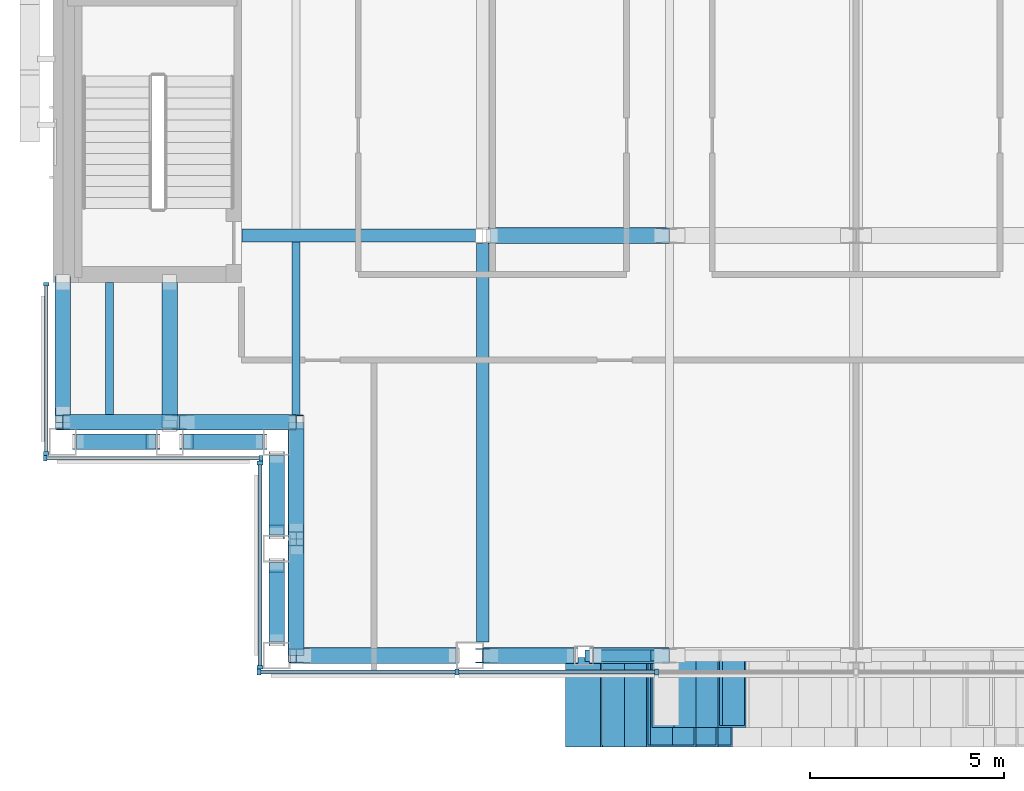
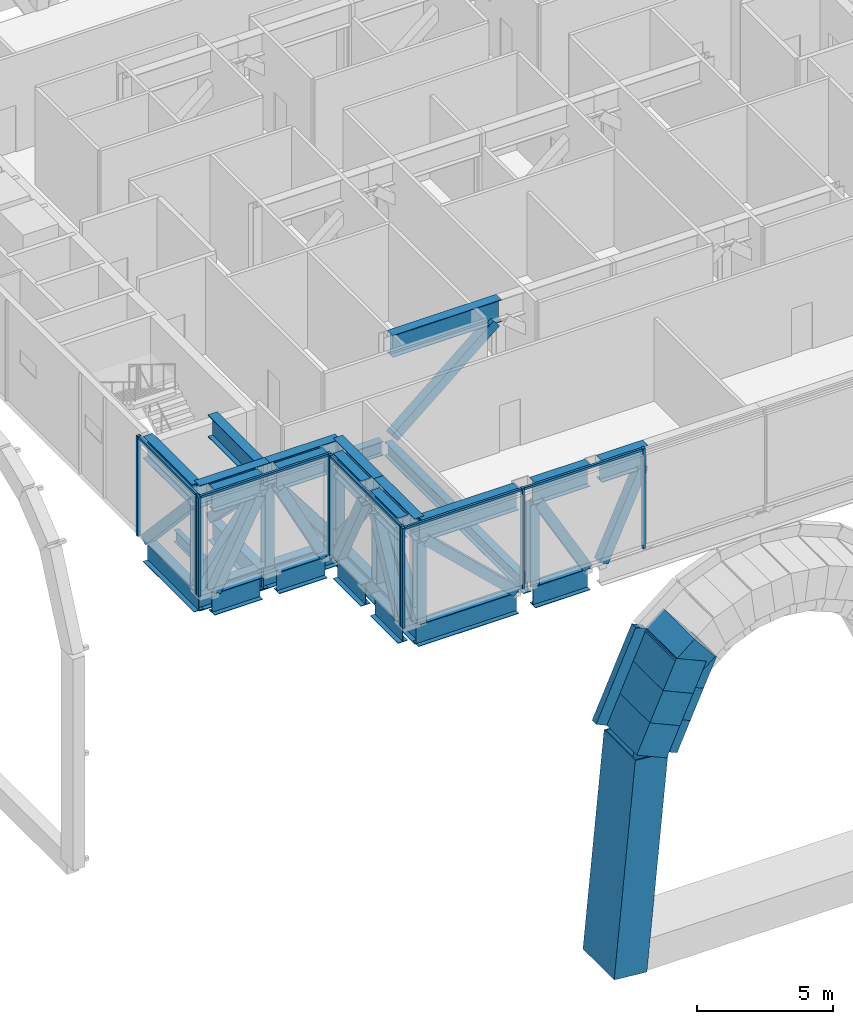
# One storey, part 3 of 26: 66 members, 5 beams, 4 elements without a shape of their own.
"""IFC4 building model written with IfcOpenShell, lengths in metres."""

from ifc_helpers import new_model, si_unit, direction, frame, origin, origin_2d, place, context, subcontext, project, spatial, rectangle, hollow_rectangle, i_section, extrude, material, material_profile, profile_set, type_object, element, aggregate, save


model = new_model("IFC4")

# Units and contexts
model_context = context("Model", 3, precision=1e-05, world=origin(), true_north=direction((0.0, 1.0)))
body_context = subcontext(model_context, "Body", "Model", "MODEL_VIEW")
ifc_project = project(units=[si_unit("LENGTHUNIT", "METRE"), si_unit("AREAUNIT", "SQUARE_METRE"), si_unit("VOLUMEUNIT", "CUBIC_METRE"), si_unit("PLANEANGLEUNIT", "RADIAN"), si_unit("MASSUNIT", "GRAM", prefix="KILO")], contexts=[model_context])

# Site, building, storey
site_placement = place(None, origin())
site = spatial("IfcSite", under=ifc_project, at=site_placement, CompositionType="ELEMENT")
building_placement = place(site_placement, origin())
building = spatial("IfcBuilding", under=site, at=building_placement, Name="Cobrizo Arcos Hotel Tower", CompositionType="ELEMENT")
storey_placement = place(building_placement, frame((0.0, 0.0, 236.5)))
storey = spatial("IfcBuildingStorey", under=building, at=storey_placement, Name="L62", CompositionType="ELEMENT", Elevation=236.5)

# Beam
ifc_material_1 = material(Name="Steel ASTM A572 Grade 50", Category="steel")
ifc_material_profile_1 = material_profile(ifc_material_1, hollow_rectangle(XDim=0.300048828125, YDim=0.5, WallThickness=0.02001953125, at=origin_2d()), Name="BOX 300X500X20")
ifc_profile_set_1 = profile_set([ifc_material_profile_1], Name="Steel ASTM A572 Grade 50")
beam_type_1 = type_object("IfcBeamType", Name="BOX 300X500X20 arch rib", PredefinedType="BEAM", material=ifc_profile_set_1)
beam_1_placement = place(storey_placement, frame((-6.748291015625, -20.39990234375, -7.5615234375), z_axis=(0.409445476845, 0.0, 0.912334588565), x_axis=(0.0, 1.0, 0.0)))
element("IfcBeam", 1, at=beam_1_placement, inside=storey, type_object=beam_type_1, Name="Arch rib AR1, arch C, south face, no. 01", PredefinedType="BEAM", context=body_context, shape_type="SweptSolid", body=[
    extrude(hollow_rectangle(XDim=0.300048828125, YDim=0.5, WallThickness=0.02001953125, at=origin_2d()), origin(), (0.0, 0.0, 1.0), 4.1201171875),
])

# Curtain wall, members
ifc_material_2 = material(Name="Aluminium 6063-T6 anodised bronze", Category="aluminium")
curtain_wall_type = type_object("IfcCurtainWallType", Name="CW-D plant louvre wall", PredefinedType="NOTDEFINED", material=ifc_material_2)
curtain_wall_1_placement = place(storey_placement, origin())
curtain_wall_1 = element("IfcCurtainWall", 2, at=curtain_wall_1_placement, inside=storey, type_object=curtain_wall_type, Name="CW-D L62 S face", PredefinedType="NOTDEFINED")
ifc_material_profile_2 = material_profile(ifc_material_2, rectangle(XDim=0.14990234375, YDim=0.10009765625, at=origin_2d()), Name="CW-D mullion 150x100")
ifc_profile_set_2 = profile_set([ifc_material_profile_2], Name="Aluminium 6063-T6 anodised bronze")
member_type_1 = type_object("IfcMemberType", Name="CW-D mullion 150x100", PredefinedType="MULLION", material=ifc_profile_set_2)
member_1_placement = place(storey_placement, frame((-15.35009765625, -20.824951171875, 0.0), z_axis=(0.0, 0.0, 1.0), x_axis=(0.0, -1.0, 0.0)))
member_1 = element("IfcMember", 3, at=member_1_placement, type_object=member_type_1, Name="CW-D mullion 1", PredefinedType="MULLION", context=body_context, shape_type="SweptSolid", body=[
    extrude(rectangle(XDim=0.14990234375, YDim=0.10009765625, at=origin_2d()), origin(), (0.0, 0.0, 1.0), 4.5),
])
member_2_placement = place(storey_placement, frame((-10.2666015625, -20.824951171875, 0.0), z_axis=(0.0, 0.0, 1.0), x_axis=(0.0, -1.0, 0.0)))
member_2 = element("IfcMember", 4, at=member_2_placement, type_object=member_type_1, Name="CW-D mullion 2", PredefinedType="MULLION", context=body_context, shape_type="SweptSolid", body=[
    extrude(rectangle(XDim=0.14990234375, YDim=0.10009765625, at=origin_2d()), origin(), (0.0, 0.0, 1.0), 4.5),
])
member_3_placement = place(storey_placement, frame((-5.13330078125, -20.824951171875, 0.0), z_axis=(0.0, 0.0, 1.0), x_axis=(0.0, -1.0, 0.0)))
member_3 = element("IfcMember", 5, at=member_3_placement, type_object=member_type_1, Name="CW-D mullion 3", PredefinedType="MULLION", context=body_context, shape_type="SweptSolid", body=[
    extrude(rectangle(XDim=0.14990234375, YDim=0.10009765625, at=origin_2d()), origin(), (0.0, 0.0, 1.0), 4.5),
])

curtain_wall_2_placement = place(storey_placement, origin())
curtain_wall_2 = element("IfcCurtainWall", 6, at=curtain_wall_2_placement, inside=storey, type_object=curtain_wall_type, Name="CW-D L62 W face", PredefinedType="NOTDEFINED")
member_4_placement = place(storey_placement, frame((-20.824951171875, -10.85009765625, 0.0), z_axis=(0.0, 0.0, 1.0), x_axis=(-1.0, 0.0, 0.0)))
member_4 = element("IfcMember", 7, at=member_4_placement, type_object=member_type_1, Name="CW-D mullion 1", PredefinedType="MULLION", context=body_context, shape_type="SweptSolid", body=[
    extrude(rectangle(XDim=0.14990234375, YDim=0.10009765625, at=origin_2d()), origin(), (0.0, 0.0, 1.0), 4.5),
])
member_5_placement = place(storey_placement, frame((-20.824951171875, -15.199951171875, 0.0), z_axis=(0.0, 0.0, 1.0), x_axis=(-1.0, 0.0, 0.0)))
member_5 = element("IfcMember", 8, at=member_5_placement, type_object=member_type_1, Name="CW-D mullion 2", PredefinedType="MULLION", context=body_context, shape_type="SweptSolid", body=[
    extrude(rectangle(XDim=0.14990234375, YDim=0.10009765625, at=origin_2d()), origin(), (0.0, 0.0, 1.0), 4.5),
])

curtain_wall_3_placement = place(storey_placement, origin())
curtain_wall_3 = element("IfcCurtainWall", 9, at=curtain_wall_3_placement, inside=storey, type_object=curtain_wall_type, Name="CW-D L62 S face", PredefinedType="NOTDEFINED")
member_6_placement = place(storey_placement, frame((-20.85009765625, -15.324951171875, 0.0), z_axis=(0.0, 0.0, 1.0), x_axis=(0.0, -1.0, 0.0)))
member_6 = element("IfcMember", 10, at=member_6_placement, type_object=member_type_1, Name="CW-D mullion 1", PredefinedType="MULLION", context=body_context, shape_type="SweptSolid", body=[
    extrude(rectangle(XDim=0.14990234375, YDim=0.10009765625, at=origin_2d()), origin(), (0.0, 0.0, 1.0), 4.5),
])
member_7_placement = place(storey_placement, frame((-15.300048828125, -15.324951171875, 0.0), z_axis=(0.0, 0.0, 1.0), x_axis=(0.0, -1.0, 0.0)))
member_7 = element("IfcMember", 11, at=member_7_placement, type_object=member_type_1, Name="CW-D mullion 2", PredefinedType="MULLION", context=body_context, shape_type="SweptSolid", body=[
    extrude(rectangle(XDim=0.14990234375, YDim=0.10009765625, at=origin_2d()), origin(), (0.0, 0.0, 1.0), 4.5),
])

curtain_wall_4_placement = place(storey_placement, origin())
curtain_wall_4 = element("IfcCurtainWall", 12, at=curtain_wall_4_placement, inside=storey, type_object=curtain_wall_type, Name="CW-D L62 W face", PredefinedType="NOTDEFINED")
member_8_placement = place(storey_placement, frame((-15.324951171875, -15.449951171875, 0.0), z_axis=(0.0, 0.0, 1.0), x_axis=(-1.0, 0.0, 0.0)))
member_8 = element("IfcMember", 13, at=member_8_placement, type_object=member_type_1, Name="CW-D mullion 1", PredefinedType="MULLION", context=body_context, shape_type="SweptSolid", body=[
    extrude(rectangle(XDim=0.14990234375, YDim=0.10009765625, at=origin_2d()), origin(), (0.0, 0.0, 1.0), 4.5),
])
member_9_placement = place(storey_placement, frame((-15.324951171875, -20.699951171875, 0.0), z_axis=(0.0, 0.0, 1.0), x_axis=(-1.0, 0.0, 0.0)))
member_9 = element("IfcMember", 14, at=member_9_placement, type_object=member_type_1, Name="CW-D mullion 2", PredefinedType="MULLION", context=body_context, shape_type="SweptSolid", body=[
    extrude(rectangle(XDim=0.14990234375, YDim=0.10009765625, at=origin_2d()), origin(), (0.0, 0.0, 1.0), 4.5),
])

# Member
ifc_material_profile_3 = material_profile(ifc_material_2, rectangle(XDim=0.10009765625, YDim=0.10009765625, at=origin_2d()), Name="CW-D transom 100x100")
ifc_profile_set_3 = profile_set([ifc_material_profile_3], Name="Aluminium 6063-T6 anodised bronze")
member_type_2 = type_object("IfcMemberType", Name="CW-D transom 100x100", PredefinedType="USERDEFINED", material=ifc_profile_set_3)
member_10_placement = place(storey_placement, frame((-15.300048828125, -20.824951171875, 4.449951171875), z_axis=(1.0, 0.0, 0.0), x_axis=(0.0, 1.0, 0.0)))
member_10 = element("IfcMember", 15, at=member_10_placement, type_object=member_type_2, Name="CW-D transom 1988", ObjectType="TRANSOM", PredefinedType="USERDEFINED", context=body_context, shape_type="SweptSolid", body=[
    extrude(rectangle(XDim=0.10009765625, YDim=0.10009765625, at=origin_2d()), origin(), (0.0, 0.0, 1.0), 4.9833984375),
])

member_11_placement = place(storey_placement, frame((-10.216552734375, -20.824951171875, 4.449951171875), z_axis=(1.0, 0.0, 0.0), x_axis=(0.0, 1.0, 0.0)))
member_11 = element("IfcMember", 16, at=member_11_placement, type_object=member_type_2, Name="CW-D transom 1989", ObjectType="TRANSOM", PredefinedType="USERDEFINED", context=body_context, shape_type="SweptSolid", body=[
    extrude(rectangle(XDim=0.10009765625, YDim=0.10009765625, at=origin_2d()), origin(), (0.0, 0.0, 1.0), 5.033203125),
])

aggregate(curtain_wall_1, [member_1, member_2, member_3, member_10, member_11])

member_12_placement = place(storey_placement, frame((-20.824951171875, -10.89990234375, 4.449951171875), z_axis=(0.0, -1.0, 0.0), x_axis=(1.0, 0.0, 0.0)))
member_12 = element("IfcMember", 17, at=member_12_placement, type_object=member_type_2, Name="CW-D transom 2009", ObjectType="TRANSOM", PredefinedType="USERDEFINED", context=body_context, shape_type="SweptSolid", body=[
    extrude(rectangle(XDim=0.10009765625, YDim=0.10009765625, at=origin_2d()), origin(), (0.0, 0.0, 1.0), 4.25),
])

aggregate(curtain_wall_2, [member_4, member_5, member_12])

member_13_placement = place(storey_placement, frame((-20.800048828125, -15.324951171875, 4.449951171875), z_axis=(1.0, 0.0, 0.0), x_axis=(0.0, 1.0, 0.0)))
member_13 = element("IfcMember", 18, at=member_13_placement, type_object=member_type_2, Name="CW-D transom 2010", ObjectType="TRANSOM", PredefinedType="USERDEFINED", context=body_context, shape_type="SweptSolid", body=[
    extrude(rectangle(XDim=0.10009765625, YDim=0.10009765625, at=origin_2d()), origin(), (0.0, 0.0, 1.0), 5.449951171875),
])

aggregate(curtain_wall_3, [member_6, member_7, member_13])

member_14_placement = place(storey_placement, frame((-15.324951171875, -15.5, 4.449951171875), z_axis=(0.0, -1.0, 0.0), x_axis=(1.0, 0.0, 0.0)))
member_14 = element("IfcMember", 19, at=member_14_placement, type_object=member_type_2, Name="CW-D transom 2011", ObjectType="TRANSOM", PredefinedType="USERDEFINED", context=body_context, shape_type="SweptSolid", body=[
    extrude(rectangle(XDim=0.10009765625, YDim=0.10009765625, at=origin_2d()), origin(), (0.0, 0.0, 1.0), 5.14990234375),
])

aggregate(curtain_wall_4, [member_8, member_9, member_14])

# Members
ifc_material_3 = material(Name="Steel ASTM A500 Grade C", Category="steel")
ifc_material_profile_4 = material_profile(ifc_material_3, hollow_rectangle(XDim=0.406494140625, YDim=0.406494140625, WallThickness=0.014892578125, at=origin_2d()), Name="HSS16X16X5/8")
ifc_profile_set_4 = profile_set([ifc_material_profile_4], Name="Steel ASTM A500 Grade C")
member_type_3 = type_object("IfcMemberType", Name="HSS16X16X5/8 truss diagonal", PredefinedType="BRACE", material=ifc_profile_set_4)
member_15_placement = place(storey_placement, frame((-14.199951171875, -20.39990234375, 3.359375), z_axis=(0.723646087401, 0.0, -0.690171239759), x_axis=(0.0, 1.0, 0.0)))
element("IfcMember", 20, at=member_15_placement, inside=storey, type_object=member_type_3, Name="Belt truss diagonal TD1, L62, no. 001", PredefinedType="BRACE", context=body_context, shape_type="SweptSolid", body=[
    extrude(hollow_rectangle(XDim=0.406494140625, YDim=0.406494140625, WallThickness=0.014892578125, at=origin_2d()), origin(), (0.0, 0.0, 1.0), 5.30224609375),
])
member_16_placement = place(storey_placement, frame((-9.39990234375, -20.39990234375, 3.359375), z_axis=(0.492319382331, 0.0, -0.870414628658), x_axis=(0.0, 1.0, 0.0)))
element("IfcMember", 21, at=member_16_placement, inside=storey, type_object=member_type_3, Name="Belt truss diagonal TD1, L62, no. 002", PredefinedType="BRACE", context=body_context, shape_type="SweptSolid", body=[
    extrude(hollow_rectangle(XDim=0.406494140625, YDim=0.406494140625, WallThickness=0.014892578125, at=origin_2d()), origin(), (0.0, 0.0, 1.0), 4.204345703125),
])
member_17_placement = place(storey_placement, frame((-6.669921875, -20.39990234375, -0.300048828125), z_axis=(0.415151491218, 0.0, 0.909752295595), x_axis=(0.0, 1.0, 0.0)))
element("IfcMember", 22, at=member_17_placement, inside=storey, type_object=member_type_3, Name="Belt truss diagonal TD1, L62, no. 003", PredefinedType="BRACE", context=body_context, shape_type="SweptSolid", body=[
    extrude(hollow_rectangle(XDim=0.406494140625, YDim=0.406494140625, WallThickness=0.014892578125, at=origin_2d()), origin(), (0.0, 0.0, 1.0), 4.0224609375),
])
member_18_placement = place(storey_placement, frame((-20.39990234375, -10.801025390625, -0.300048828125), z_axis=(0.0, -0.680546716419, 0.732704692746), x_axis=(1.0, 0.0, 0.0)))
element("IfcMember", 23, at=member_18_placement, inside=storey, type_object=member_type_3, Name="Belt truss diagonal TD1, L62, no. 032", PredefinedType="BRACE", context=body_context, shape_type="SweptSolid", body=[
    extrude(hollow_rectangle(XDim=0.406494140625, YDim=0.406494140625, WallThickness=0.014892578125, at=origin_2d()), origin(), (0.0, 0.0, 1.0), 4.994384765625),
])
for number, where, z_axis, x_axis, name in (
    (24, (-19.969970703125, -14.89990234375, -0.300048828125), (0.458864866216, 0.0, 0.888506068945), (0.0, 1.0, 0.0), "Belt truss diagonal TD1, L62, no. 033"),
    (25, (-17.219970703125, -14.89990234375, 3.359375), (0.458864866216, 0.0, -0.888506068945), (0.0, 1.0, 0.0), "Belt truss diagonal TD1, L62, no. 034"),
    (26, (-14.89990234375, -15.330078125, -0.300048828125), (0.0, -0.458864866216, 0.888506068945), (1.0, 0.0, 0.0), "Belt truss diagonal TD1, L62, no. 035"),
    (27, (-14.89990234375, -18.080078125, 3.359375), (0.0, -0.458864866216, -0.888506068945), (1.0, 0.0, 0.0), "Belt truss diagonal TD1, L62, no. 036"),
):
    element("IfcMember", number, at=place(storey_placement, frame(where, z_axis=z_axis, x_axis=x_axis)), inside=storey, type_object=member_type_3, Name=name, PredefinedType="BRACE", context=body_context, shape_type="SweptSolid", body=[
        extrude(hollow_rectangle(XDim=0.406494140625, YDim=0.406494140625, WallThickness=0.014892578125, at=origin_2d()), origin(), (0.0, 0.0, 1.0), 4.11865234375),
    ])
for number, where, z_axis, x_axis, name in (
    (28, (-20.39990234375, -14.39990234375, -0.300048828125), (0.607644795951, 0.0, 0.794208915811), (0.0, 1.0, 0.0), "Belt truss diagonal TD1, L62, no. 049"),
    (29, (-17.199951171875, -14.39990234375, 3.359375), (0.607678216274, 0.0, -0.794183344994), (0.0, 1.0, 0.0), "Belt truss diagonal TD1, L62, no. 050"),
    (30, (-14.39990234375, -14.39990234375, -0.300048828125), (0.0, -0.607678216274, 0.794183344994), (1.0, 0.0, 0.0), "Belt truss diagonal TD1, L62, no. 051"),
    (31, (-14.39990234375, -17.60009765625, 3.359375), (0.0, -0.607644795951, -0.794208915811), (1.0, 0.0, 0.0), "Belt truss diagonal TD1, L62, no. 052"),
):
    element("IfcMember", number, at=place(storey_placement, frame(where, z_axis=z_axis, x_axis=x_axis)), inside=storey, type_object=member_type_3, Name=name, PredefinedType="BRACE", context=body_context, shape_type="SweptSolid", body=[
        extrude(hollow_rectangle(XDim=0.406494140625, YDim=0.406494140625, WallThickness=0.014892578125, at=origin_2d()), origin(), (0.0, 0.0, 1.0), 4.607666015625),
    ])
member_19_placement = place(storey_placement, frame((-17.64990234375, -10.800048828125, -0.300048828125), z_axis=(0.0, -0.708118865561, 0.706093246134), x_axis=(1.0, 0.0, 0.0)))
element("IfcMember", 32, at=member_19_placement, inside=storey, type_object=member_type_3, Name="Outrigger diagonal TD1, L62, no. 003", PredefinedType="BRACE", context=body_context, shape_type="SweptSolid", body=[
    extrude(hollow_rectangle(XDim=0.406494140625, YDim=0.406494140625, WallThickness=0.014892578125, at=origin_2d()), origin(), (0.0, 0.0, 1.0), 5.1826171875),
])
member_20_placement = place(storey_placement, frame((-9.333251953125, -9.60009765625, -0.300048828125), z_axis=(0.764009639917, 0.0, 0.645204828031), x_axis=(0.0, 1.0, 0.0)))
element("IfcMember", 33, at=member_20_placement, inside=storey, type_object=member_type_3, Name="Outrigger diagonal TD1, L62, no. 005", PredefinedType="BRACE", context=body_context, shape_type="SweptSolid", body=[
    extrude(hollow_rectangle(XDim=0.406494140625, YDim=0.406494140625, WallThickness=0.014892578125, at=origin_2d()), origin(), (0.0, 0.0, 1.0), 5.671630859375),
])
ifc_material_4 = material(Name="Steel ASTM A572 Grade 50 verdigris painted", Category="steel")
ifc_material_profile_5 = material_profile(ifc_material_4, hollow_rectangle(XDim=2.300048828125, YDim=1.39990234375, WallThickness=0.050048828125, at=origin_2d()), Name="PF-1 portal frame box 2300x1400x50")
ifc_profile_set_5 = profile_set([ifc_material_profile_5], Name="Steel ASTM A572 Grade 50 verdigris painted")
member_type_4 = type_object("IfcMemberType", Name="PF-1 portal frame box 2300x1400x50", PredefinedType="USERDEFINED", material=ifc_profile_set_5)
member_21_placement = place(storey_placement, frame((-5.881591796875, -21.60009765625, -7.95068359375), z_axis=(0.40935189332, 0.0, 0.912376582029), x_axis=(0.0, 1.0, 0.0)))
element("IfcMember", 34, at=member_21_placement, inside=storey, type_object=member_type_4, Name="C ring frame lintel S1", ObjectType="PORTAL FRAME", PredefinedType="USERDEFINED", context=body_context, shape_type="SweptSolid", body=[
    extrude(hollow_rectangle(XDim=2.300048828125, YDim=1.39990234375, WallThickness=0.050048828125, at=origin_2d()), origin(), (0.0, 0.0, 1.0), 1.37353515625),
])
for number, where, z_axis, x_axis, name in (
    (35, (-5.3193359375, -21.60009765625, -6.697509765625), (0.409418288591, 0.0, 0.91234678986), (0.0, 1.0, 0.0), "C ring frame lintel S2"),
    (36, (-4.757080078125, -21.60009765625, -5.444580078125), (0.409566249087, 0.0, 0.91228037774), (0.0, 1.0, 0.0), "C ring frame lintel S3"),
):
    element("IfcMember", number, at=place(storey_placement, frame(where, z_axis=z_axis, x_axis=x_axis)), inside=storey, type_object=member_type_4, Name=name, ObjectType="PORTAL FRAME", PredefinedType="USERDEFINED", context=body_context, shape_type="SweptSolid", body=[
        extrude(hollow_rectangle(XDim=2.300048828125, YDim=1.39990234375, WallThickness=0.050048828125, at=origin_2d()), origin(), (0.0, 0.0, 1.0), 1.373291015625),
    ])
member_22_placement = place(storey_placement, frame((-4.463623046875, -21.60009765625, -4.541015625), z_axis=(0.777344411856, 0.0, 0.62907524618), x_axis=(0.0, 1.0, 0.0)))
element("IfcMember", 37, at=member_22_placement, inside=storey, type_object=member_type_4, Name="C ring frame lintel S4", ObjectType="PORTAL FRAME", PredefinedType="USERDEFINED", context=body_context, shape_type="SweptSolid", body=[
    extrude(hollow_rectangle(XDim=2.300048828125, YDim=1.39990234375, WallThickness=0.050048828125, at=origin_2d()), origin(), (0.0, 0.0, 1.0), 1.085205078125),
])
member_23_placement = place(storey_placement, frame((-6.78173828125, -21.60009765625, -17.5), z_axis=(0.093846907553, 0.0, 0.995586640099), x_axis=(0.0, 1.0, 0.0)))
element("IfcMember", 38, at=member_23_placement, inside=storey, type_object=member_type_4, Name="C ring frame post SW", ObjectType="PORTAL FRAME", PredefinedType="USERDEFINED", context=body_context, shape_type="SweptSolid", body=[
    extrude(hollow_rectangle(XDim=2.300048828125, YDim=1.39990234375, WallThickness=0.050048828125, at=origin_2d()), origin(), (0.0, 0.0, 1.0), 9.591552734375),
])
ifc_material_profile_6 = material_profile(ifc_material_4, hollow_rectangle(XDim=1.800048828125, YDim=0.800048828125, WallThickness=0.050048828125, at=origin_2d()), Name="PF-3 portal outer ring box 1800x800x50")
ifc_profile_set_6 = profile_set([ifc_material_profile_6], Name="Steel ASTM A572 Grade 50 verdigris painted")
member_type_5 = type_object("IfcMemberType", Name="PF-3 portal outer ring box 1800x800x50", PredefinedType="USERDEFINED", material=ifc_profile_set_6)
for number, where, z_axis, x_axis, name in (
    (39, (-4.878173828125, -21.35009765625, -8.40087890625), (0.409418288591, 0.0, 0.91234678986), (0.0, 1.0, 0.0), "C ring frame lintel S21"),
    (40, (-4.31591796875, -21.35009765625, -7.14794921875), (0.409566249087, 0.0, 0.91228037774), (0.0, 1.0, 0.0), "C ring frame lintel S22"),
    (41, (-3.75341796875, -21.35009765625, -5.89501953125), (0.409566249087, 0.0, 0.91228037774), (0.0, 1.0, 0.0), "C ring frame lintel S23"),
):
    element("IfcMember", number, at=place(storey_placement, frame(where, z_axis=z_axis, x_axis=x_axis)), inside=storey, type_object=member_type_5, Name=name, ObjectType="PORTAL FRAME", PredefinedType="USERDEFINED", context=body_context, shape_type="SweptSolid", body=[
        extrude(hollow_rectangle(XDim=1.800048828125, YDim=0.800048828125, WallThickness=0.050048828125, at=origin_2d()), origin(), (0.0, 0.0, 1.0), 1.373291015625),
    ])
ifc_material_5 = material(Name="Steel ASTM A992 Grade 50", Category="steel")
ifc_material_profile_7 = material_profile(ifc_material_5, i_section(OverallWidth=0.373291015625, OverallDepth=0.373291015625, WebThickness=0.016357421875, FlangeThickness=0.026123046875, at=origin_2d()), Name="W14X132")
ifc_profile_set_7 = profile_set([ifc_material_profile_7], Name="Steel ASTM A992 Grade 50")
member_type_6 = type_object("IfcMemberType", Name="W14X132 truss post", PredefinedType="POST", material=ifc_profile_set_7)
for number, where, z_axis, x_axis, name in (
    (42, (-14.39990234375, -20.39990234375, -0.300048828125), (0.0, 0.0, 1.0), (1.0, 0.0, 0.0), "Truss post TP1, L62, no. 001"),
    (43, (-9.60009765625, -20.39990234375, -0.300048828125), (0.0, 0.0, 1.0), (1.0, 0.0, 0.0), "Truss post TP1, L62, no. 002"),
    (44, (-20.39990234375, -14.39990234375, -0.300048828125), (0.0, 0.0, 1.0), (1.0, 0.0, 0.0), "Truss post TP1, L62, no. 018"),
    (45, (-17.39990234375, -14.39990234375, -0.300048828125), (0.0, 0.0, 1.0), (1.0, 0.0, 0.0), "Truss post TP1, L62, no. 028"),
    (46, (-14.39990234375, -14.39990234375, -0.300048828125), (0.0, 0.0, 1.0), (1.0, 0.0, 0.0), "Truss post TP1, L62, no. 029"),
    (47, (-14.39990234375, -17.39990234375, -0.300048828125), (0.0, 0.0, 1.0), (1.0, 0.0, 0.0), "Truss post TP1, L62, no. 030"),
):
    element("IfcMember", number, at=place(storey_placement, frame(where, z_axis=z_axis, x_axis=x_axis)), inside=storey, type_object=member_type_6, Name=name, PredefinedType="POST", context=body_context, shape_type="SweptSolid", body=[
        extrude(i_section(OverallWidth=0.373291015625, OverallDepth=0.373291015625, WebThickness=0.016357421875, FlangeThickness=0.026123046875, at=origin_2d()), origin(), (0.0, 0.0, 1.0), 3.659423828125),
    ])

# Beams
ifc_material_profile_8 = material_profile(ifc_material_5, i_section(OverallWidth=0.209228515625, OverallDepth=0.533447265625, WebThickness=0.01025390625, FlangeThickness=0.015625, at=origin_2d()), Name="W21X62")
ifc_profile_set_8 = profile_set([ifc_material_profile_8], Name="Steel ASTM A992 Grade 50")
beam_type_2 = type_object("IfcBeamType", Name="W21X62 joist", PredefinedType="JOIST", material=ifc_profile_set_8)
beam_2_placement = place(storey_placement, frame((-19.199951171875, -14.199462890625, -0.566650390625), z_axis=(0.0, 1.0, 0.0), x_axis=(-1.0, 0.0, 0.0)))
element("IfcBeam", 48, at=beam_2_placement, inside=storey, type_object=beam_type_2, Name="Floor joist J1, L62, no. 001", PredefinedType="JOIST", context=body_context, shape_type="SweptSolid", body=[
    extrude(i_section(OverallWidth=0.209228515625, OverallDepth=0.533447265625, WebThickness=0.01025390625, FlangeThickness=0.015625, at=origin_2d()), origin(), (0.0, 0.0, 1.0), 3.389404296875),
])
beam_3_placement = place(storey_placement, frame((-14.39990234375, -14.199462890625, -0.566650390625), z_axis=(0.0, 1.0, 0.0), x_axis=(-1.0, 0.0, 0.0)))
element("IfcBeam", 49, at=beam_3_placement, inside=storey, type_object=beam_type_2, Name="Floor joist J1, L62, no. 003", PredefinedType="JOIST", context=body_context, shape_type="SweptSolid", body=[
    extrude(i_section(OverallWidth=0.209228515625, OverallDepth=0.533447265625, WebThickness=0.01025390625, FlangeThickness=0.015625, at=origin_2d()), origin(), (0.0, 0.0, 1.0), 4.435546875),
])
ifc_material_profile_9 = material_profile(ifc_material_5, i_section(OverallWidth=0.32763671875, OverallDepth=0.622314453125, WebThickness=0.015380859375, FlangeThickness=0.0244140625, at=origin_2d()), Name="W24X131")
ifc_profile_set_9 = profile_set([ifc_material_profile_9], Name="Steel ASTM A992 Grade 50")
beam_type_3 = type_object("IfcBeamType", Name="W24X131 girder", PredefinedType="BEAM", material=ifc_profile_set_9)
beam_4_placement = place(storey_placement, frame((-15.7900390625, -9.60009765625, -0.611083984375), z_axis=(1.0, 0.0, 0.0), x_axis=(0.0, 1.0, 0.0)))
element("IfcBeam", 50, at=beam_4_placement, inside=storey, type_object=beam_type_3, Name="Floor girder G1, L62, no. 001", PredefinedType="BEAM", context=body_context, shape_type="SweptSolid", body=[
    extrude(i_section(OverallWidth=0.32763671875, OverallDepth=0.622314453125, WebThickness=0.015380859375, FlangeThickness=0.0244140625, at=origin_2d()), origin(), (0.0, 0.0, 1.0), 6.00341796875),
])
beam_5_placement = place(storey_placement, frame((-9.60009765625, -20.050048828125, -0.611083984375), z_axis=(0.0, 1.0, 0.0), x_axis=(-1.0, 0.0, 0.0)))
element("IfcBeam", 51, at=beam_5_placement, inside=storey, type_object=beam_type_3, Name="Floor girder G1, L62, no. 007", PredefinedType="BEAM", context=body_context, shape_type="SweptSolid", body=[
    extrude(i_section(OverallWidth=0.32763671875, OverallDepth=0.622314453125, WebThickness=0.015380859375, FlangeThickness=0.0244140625, at=origin_2d()), origin(), (0.0, 0.0, 1.0), 10.24951171875),
])

# Members
ifc_material_profile_10 = material_profile(ifc_material_5, i_section(OverallWidth=0.4013671875, OverallDepth=0.990478515625, WebThickness=0.0166015625, FlangeThickness=0.025390625, at=origin_2d()), Name="W40X215")
ifc_profile_set_10 = profile_set([ifc_material_profile_10], Name="Steel ASTM A992 Grade 50")
member_type_7 = type_object("IfcMemberType", Name="W40X215 belt truss chord", PredefinedType="CHORD", material=ifc_profile_set_10)
member_24_placement = place(storey_placement, frame((-14.550048828125, -20.39990234375, -0.79541015625), z_axis=(1.0, 0.0, 0.0), x_axis=(0.0, 1.0, 0.0)))
element("IfcMember", 52, at=member_24_placement, inside=storey, type_object=member_type_7, Name="Belt truss bottom chord TC1, L62, no. 001", PredefinedType="CHORD", context=body_context, shape_type="SweptSolid", body=[
    extrude(i_section(OverallWidth=0.4013671875, OverallDepth=0.990478515625, WebThickness=0.0166015625, FlangeThickness=0.025390625, at=origin_2d()), origin(), (0.0, 0.0, 1.0), 4.26708984375),
])
member_25_placement = place(storey_placement, frame((-9.5830078125, -20.39990234375, -0.79541015625), z_axis=(1.0, 0.0, 0.0), x_axis=(0.0, 1.0, 0.0)))
element("IfcMember", 53, at=member_25_placement, inside=storey, type_object=member_type_7, Name="Belt truss bottom chord TC1, L62, no. 002", PredefinedType="CHORD", context=body_context, shape_type="SweptSolid", body=[
    extrude(i_section(OverallWidth=0.4013671875, OverallDepth=0.990478515625, WebThickness=0.0166015625, FlangeThickness=0.025390625, at=origin_2d()), origin(), (0.0, 0.0, 1.0), 2.3330078125),
])
member_26_placement = place(storey_placement, frame((-14.39990234375, -20.39990234375, 3.854736328125), z_axis=(1.0, 0.0, 0.0), x_axis=(0.0, 1.0, 0.0)))
element("IfcMember", 54, at=member_26_placement, inside=storey, type_object=member_type_7, Name="Belt truss top chord TC1, L62, no. 001", PredefinedType="CHORD", context=body_context, shape_type="SweptSolid", body=[
    extrude(i_section(OverallWidth=0.4013671875, OverallDepth=0.990478515625, WebThickness=0.0166015625, FlangeThickness=0.025390625, at=origin_2d()), origin(), (0.0, 0.0, 1.0), 4.116943359375),
])
member_27_placement = place(storey_placement, frame((-9.60009765625, -20.39990234375, 3.854736328125), z_axis=(1.0, 0.0, 0.0), x_axis=(0.0, 1.0, 0.0)))
element("IfcMember", 55, at=member_27_placement, inside=storey, type_object=member_type_7, Name="Belt truss top chord TC1, L62, no. 002", PredefinedType="CHORD", context=body_context, shape_type="SweptSolid", body=[
    extrude(i_section(OverallWidth=0.4013671875, OverallDepth=0.990478515625, WebThickness=0.0166015625, FlangeThickness=0.025390625, at=origin_2d()), origin(), (0.0, 0.0, 1.0), 2.35009765625),
])
member_28_placement = place(storey_placement, frame((-6.75, -20.39990234375, 3.854736328125), z_axis=(1.0, 0.0, 0.0), x_axis=(0.0, 1.0, 0.0)))
element("IfcMember", 56, at=member_28_placement, inside=storey, type_object=member_type_7, Name="Belt truss top chord TC1, L62, no. 003", PredefinedType="CHORD", context=body_context, shape_type="SweptSolid", body=[
    extrude(i_section(OverallWidth=0.4013671875, OverallDepth=0.990478515625, WebThickness=0.0166015625, FlangeThickness=0.025390625, at=origin_2d()), origin(), (0.0, 0.0, 1.0), 1.949951171875),
])
member_29_placement = place(storey_placement, frame((-20.39990234375, -10.801025390625, -0.79541015625), z_axis=(0.0, -1.0, 0.0), x_axis=(1.0, 0.0, 0.0)))
element("IfcMember", 57, at=member_29_placement, inside=storey, type_object=member_type_7, Name="Belt truss bottom chord TC1, L62, no. 026", PredefinedType="CHORD", context=body_context, shape_type="SweptSolid", body=[
    extrude(i_section(OverallWidth=0.4013671875, OverallDepth=0.990478515625, WebThickness=0.0166015625, FlangeThickness=0.025390625, at=origin_2d()), origin(), (0.0, 0.0, 1.0), 3.7490234375),
])
member_30_placement = place(storey_placement, frame((-20.39990234375, -10.801025390625, 3.854736328125), z_axis=(0.0, -1.0, 0.0), x_axis=(1.0, 0.0, 0.0)))
element("IfcMember", 58, at=member_30_placement, inside=storey, type_object=member_type_7, Name="Belt truss top chord TC1, L62, no. 032", PredefinedType="CHORD", context=body_context, shape_type="SweptSolid", body=[
    extrude(i_section(OverallWidth=0.4013671875, OverallDepth=0.990478515625, WebThickness=0.0166015625, FlangeThickness=0.025390625, at=origin_2d()), origin(), (0.0, 0.0, 1.0), 3.598876953125),
])
for number, where, z_axis, x_axis, name in (
    (59, (-20.050048828125, -14.89990234375, -0.79541015625), (1.0, 0.0, 0.0), (0.0, 1.0, 0.0), "Belt truss bottom chord TC1, L62, no. 027"),
    (60, (-17.300048828125, -14.89990234375, -0.79541015625), (1.0, 0.0, 0.0), (0.0, 1.0, 0.0), "Belt truss bottom chord TC1, L62, no. 028"),
    (61, (-20.050048828125, -14.89990234375, 3.854736328125), (1.0, 0.0, 0.0), (0.0, 1.0, 0.0), "Belt truss top chord TC1, L62, no. 033"),
    (62, (-17.300048828125, -14.89990234375, 3.854736328125), (1.0, 0.0, 0.0), (0.0, 1.0, 0.0), "Belt truss top chord TC1, L62, no. 034"),
    (63, (-14.89990234375, -15.25, -0.79541015625), (0.0, -1.0, 0.0), (1.0, 0.0, 0.0), "Belt truss bottom chord TC1, L62, no. 029"),
    (64, (-14.89990234375, -18.0, -0.79541015625), (0.0, -1.0, 0.0), (1.0, 0.0, 0.0), "Belt truss bottom chord TC1, L62, no. 030"),
    (65, (-14.89990234375, -15.25, 3.854736328125), (0.0, -1.0, 0.0), (1.0, 0.0, 0.0), "Belt truss top chord TC1, L62, no. 035"),
    (66, (-14.89990234375, -18.0, 3.854736328125), (0.0, -1.0, 0.0), (1.0, 0.0, 0.0), "Belt truss top chord TC1, L62, no. 036"),
):
    element("IfcMember", number, at=place(storey_placement, frame(where, z_axis=z_axis, x_axis=x_axis)), inside=storey, type_object=member_type_7, Name=name, PredefinedType="CHORD", context=body_context, shape_type="SweptSolid", body=[
        extrude(i_section(OverallWidth=0.4013671875, OverallDepth=0.990478515625, WebThickness=0.0166015625, FlangeThickness=0.025390625, at=origin_2d()), origin(), (0.0, 0.0, 1.0), 2.050048828125),
    ])
member_31_placement = place(storey_placement, frame((-20.39990234375, -14.39990234375, -0.79541015625), z_axis=(1.0, 0.0, 0.0), x_axis=(0.0, 1.0, 0.0)))
element("IfcMember", 67, at=member_31_placement, inside=storey, type_object=member_type_7, Name="Belt truss bottom chord TC1, L62, no. 037", PredefinedType="CHORD", context=body_context, shape_type="SweptSolid", body=[
    extrude(i_section(OverallWidth=0.4013671875, OverallDepth=0.990478515625, WebThickness=0.0166015625, FlangeThickness=0.025390625, at=origin_2d()), origin(), (0.0, 0.0, 1.0), 6.0),
])
for number, where, z_axis, x_axis, name in (
    (68, (-20.39990234375, -14.39990234375, 3.854736328125), (1.0, 0.0, 0.0), (0.0, 1.0, 0.0), "Belt truss top chord TC1, L62, no. 049"),
    (69, (-17.39990234375, -14.39990234375, 3.854736328125), (1.0, 0.0, 0.0), (0.0, 1.0, 0.0), "Belt truss top chord TC1, L62, no. 050"),
):
    element("IfcMember", number, at=place(storey_placement, frame(where, z_axis=z_axis, x_axis=x_axis)), inside=storey, type_object=member_type_7, Name=name, PredefinedType="CHORD", context=body_context, shape_type="SweptSolid", body=[
        extrude(i_section(OverallWidth=0.4013671875, OverallDepth=0.990478515625, WebThickness=0.0166015625, FlangeThickness=0.025390625, at=origin_2d()), origin(), (0.0, 0.0, 1.0), 3.0),
    ])
member_32_placement = place(storey_placement, frame((-14.39990234375, -14.39990234375, -0.79541015625), z_axis=(0.0, -1.0, 0.0), x_axis=(1.0, 0.0, 0.0)))
element("IfcMember", 70, at=member_32_placement, inside=storey, type_object=member_type_7, Name="Belt truss bottom chord TC1, L62, no. 038", PredefinedType="CHORD", context=body_context, shape_type="SweptSolid", body=[
    extrude(i_section(OverallWidth=0.4013671875, OverallDepth=0.990478515625, WebThickness=0.0166015625, FlangeThickness=0.025390625, at=origin_2d()), origin(), (0.0, 0.0, 1.0), 6.0),
])
for number, where, z_axis, x_axis, name in (
    (71, (-14.39990234375, -14.39990234375, 3.854736328125), (0.0, -1.0, 0.0), (1.0, 0.0, 0.0), "Belt truss top chord TC1, L62, no. 051"),
    (72, (-14.39990234375, -17.39990234375, 3.854736328125), (0.0, -1.0, 0.0), (1.0, 0.0, 0.0), "Belt truss top chord TC1, L62, no. 052"),
):
    element("IfcMember", number, at=place(storey_placement, frame(where, z_axis=z_axis, x_axis=x_axis)), inside=storey, type_object=member_type_7, Name=name, PredefinedType="CHORD", context=body_context, shape_type="SweptSolid", body=[
        extrude(i_section(OverallWidth=0.4013671875, OverallDepth=0.990478515625, WebThickness=0.0166015625, FlangeThickness=0.025390625, at=origin_2d()), origin(), (0.0, 0.0, 1.0), 3.0),
    ])
for number, where, z_axis, x_axis, name in (
    (73, (-17.64990234375, -10.800048828125, -0.79541015625), (0.0, -1.0, 0.0), (1.0, 0.0, 0.0), "Outrigger bottom chord TC1, L62, no. 003"),
    (74, (-17.64990234375, -10.800048828125, 3.854736328125), (0.0, -1.0, 0.0), (1.0, 0.0, 0.0), "Outrigger top chord TC1, L62, no. 003"),
):
    element("IfcMember", number, at=place(storey_placement, frame(where, z_axis=z_axis, x_axis=x_axis)), inside=storey, type_object=member_type_7, Name=name, PredefinedType="CHORD", context=body_context, shape_type="SweptSolid", body=[
        extrude(i_section(OverallWidth=0.4013671875, OverallDepth=0.990478515625, WebThickness=0.0166015625, FlangeThickness=0.025390625, at=origin_2d()), origin(), (0.0, 0.0, 1.0), 3.75),
    ])
member_33_placement = place(storey_placement, frame((-9.413330078125, -9.60009765625, 3.854736328125), z_axis=(1.0, 0.0, 0.0), x_axis=(0.0, 1.0, 0.0)))
element("IfcMember", 75, at=member_33_placement, inside=storey, type_object=member_type_7, Name="Outrigger top chord TC1, L62, no. 005", PredefinedType="CHORD", context=body_context, shape_type="SweptSolid", body=[
    extrude(i_section(OverallWidth=0.4013671875, OverallDepth=0.990478515625, WebThickness=0.0166015625, FlangeThickness=0.025390625, at=origin_2d()), origin(), (0.0, 0.0, 1.0), 4.61328125),
])

save(model, "model.ifc")
